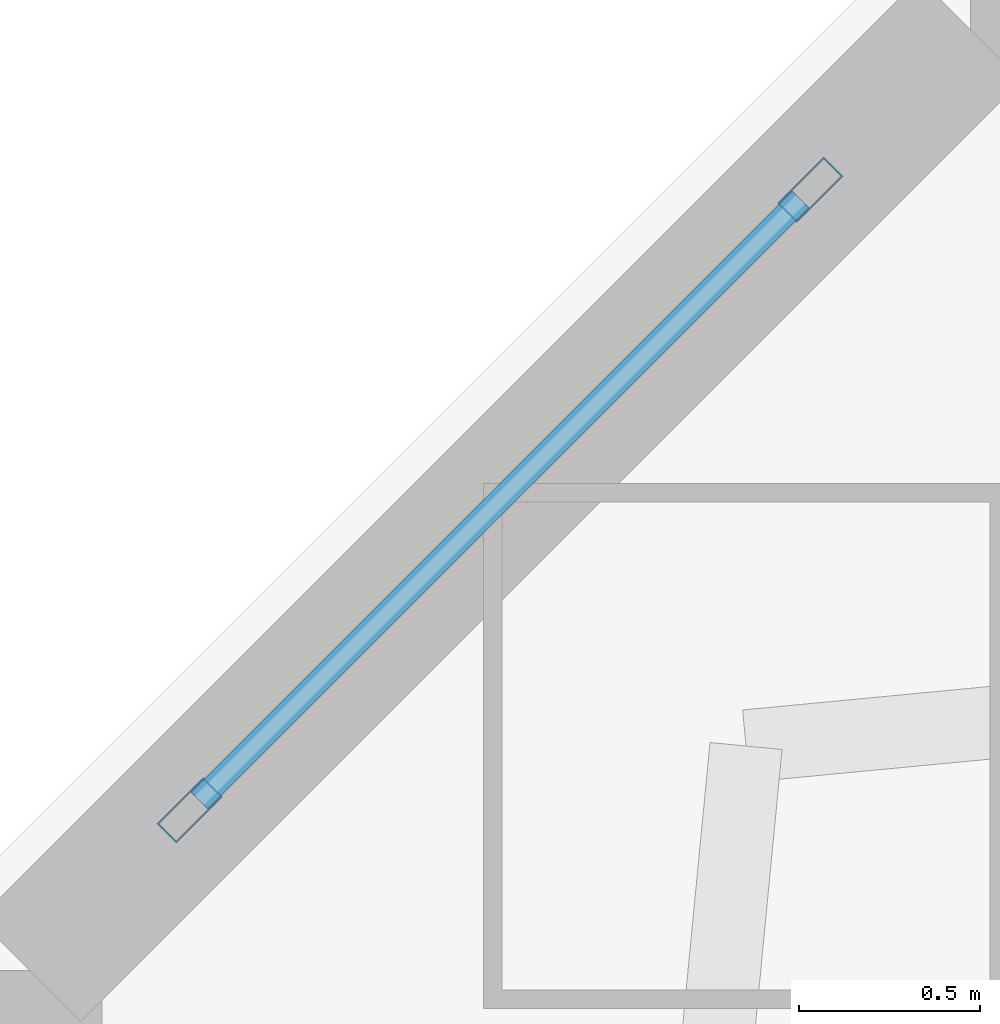
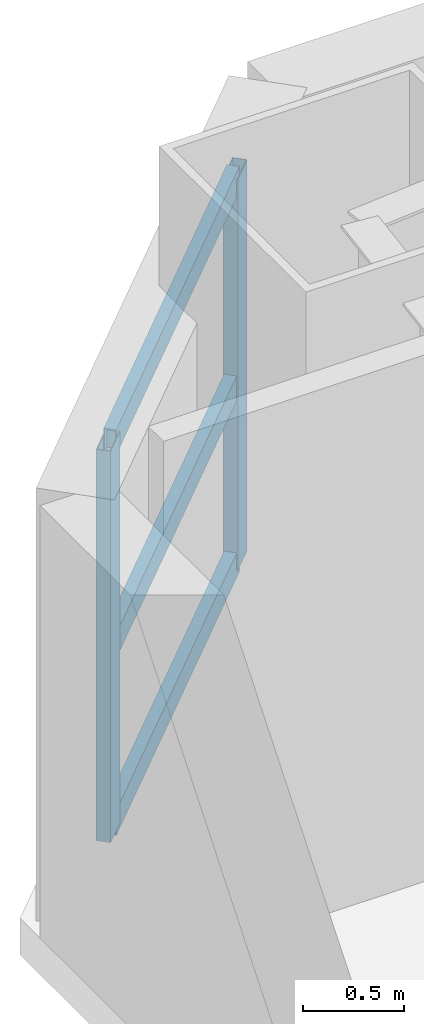
# One storey, part 8 of 25: 5 members, 1 element without a shape of its own.
"""IFC4 building model written with IfcOpenShell, lengths in metres."""

from ifc_helpers import new_model, si_unit, direction, frame, origin, origin_2d, place, context, subcontext, project, spatial, hollow_rectangle, extrude, material, layer, layer_set, material_profile, profile_set, type_object, element, aggregate, save


model = new_model("IFC4")

# Units and contexts
model_context = context("Model", 3, precision=1e-05, world=origin(), true_north=direction((0.0, 1.0)))
body_context = subcontext(model_context, "Body", "Model", "MODEL_VIEW")
ifc_project = project(units=[si_unit("LENGTHUNIT", "METRE"), si_unit("AREAUNIT", "SQUARE_METRE"), si_unit("VOLUMEUNIT", "CUBIC_METRE"), si_unit("PLANEANGLEUNIT", "RADIAN"), si_unit("MASSUNIT", "GRAM", prefix="KILO")], contexts=[model_context])

# Site, building, storey
site_placement = place(None, origin())
site = spatial("IfcSite", under=ifc_project, at=site_placement, CompositionType="ELEMENT")
building_placement = place(site_placement, origin())
building = spatial("IfcBuilding", under=site, at=building_placement, Name="Qiaolan Cultural Towers", CompositionType="ELEMENT")
storey_placement = place(building_placement, frame((0.0, 0.0, 202.39990234375)))
storey = spatial("IfcBuildingStorey", under=building, at=storey_placement, Name="L54", CompositionType="ELEMENT", Elevation=202.39990234375)

# Curtain wall, members
ifc_material_1 = material(Name="Unitized Anodized Aluminium Curtain Wall System", Category="aluminium")
ifc_layer = layer(ifc_material_1, 0.199951171875)
ifc_layer_set = layer_set([ifc_layer], Name="Unitized Anodized Aluminium Curtain Wall System")
curtain_wall_type = type_object("IfcCurtainWallType", Name="CWS-05", PredefinedType="NOTDEFINED", material=ifc_layer_set)
curtain_wall_placement = place(storey_placement, origin())
curtain_wall = element("IfcCurtainWall", 1, at=curtain_wall_placement, inside=storey, type_object=curtain_wall_type, Name="L54 T1 Chamfer Wind-Corner Feature Curtain Wall 1", PredefinedType="NOTDEFINED")
ifc_material_2 = material(Name="Extruded Aluminium 6063-T6", Category="aluminium")
ifc_material_profile_1 = material_profile(ifc_material_2, hollow_rectangle(XDim=0.074951171875, YDim=0.179931640625, WallThickness=0.00390625, at=origin_2d()), Name="CWM-180x75x4")
ifc_profile_set_1 = profile_set([ifc_material_profile_1], Name="Extruded Aluminium 6063-T6")
member_type_1 = type_object("IfcMemberType", Name="CWS-05-MUL", PredefinedType="MULLION", material=ifc_profile_set_1)
member_1_placement = place(storey_placement, frame((13.442626953125, 57.642578125, 0.150146484375), z_axis=(0.0, 0.0, 1.0), x_axis=(-0.707106781187, 0.707106781187, 0.0)))
member_1 = element("IfcMember", 2, at=member_1_placement, type_object=member_type_1, Name="CW-5 mullion 1", PredefinedType="MULLION", context=body_context, shape_type="SweptSolid", body=[
    extrude(hollow_rectangle(XDim=0.074951171875, YDim=0.179931640625, WallThickness=0.00390625, at=origin_2d()), origin(), (0.0, 0.0, 1.0), 2.35986328125),
])
member_2_placement = place(storey_placement, frame((15.157470703125, 59.357421875, 0.150146484375), z_axis=(0.0, 0.0, 1.0), x_axis=(-0.707106781187, 0.707106781187, 0.0)))
member_2 = element("IfcMember", 3, at=member_2_placement, type_object=member_type_1, Name="CW-5 mullion 2", PredefinedType="MULLION", context=body_context, shape_type="SweptSolid", body=[
    extrude(hollow_rectangle(XDim=0.074951171875, YDim=0.179931640625, WallThickness=0.00390625, at=origin_2d()), origin(), (0.0, 0.0, 1.0), 2.35986328125),
])
ifc_material_3 = material(Name="Extruded Aluminium 6063-T6", Category="aluminium")
ifc_material_profile_2 = material_profile(ifc_material_3, hollow_rectangle(XDim=0.06494140625, YDim=0.14990234375, WallThickness=0.00390625, at=origin_2d()), Name="CWT-150x65x4")
ifc_profile_set_2 = profile_set([ifc_material_profile_2], Name="Extruded Aluminium 6063-T6")
member_type_2 = type_object("IfcMemberType", Name="CWS-05-TRN", PredefinedType="USERDEFINED", material=ifc_profile_set_2)
member_3_placement = place(storey_placement, frame((13.468994140625, 57.6689453125, 0.1826171875), z_axis=(0.707054843416, 0.707158715143, 0.0), x_axis=(-0.707158715143, 0.707054843416, 0.0)))
member_3 = element("IfcMember", 4, at=member_3_placement, type_object=member_type_2, Name="CW-5 transom 1.1", ObjectType="TRANSOM", PredefinedType="USERDEFINED", context=body_context, shape_type="SweptSolid", body=[
    extrude(hollow_rectangle(XDim=0.06494140625, YDim=0.14990234375, WallThickness=0.00390625, at=origin_2d()), origin(), (0.0, 0.0, 1.0), 2.350341796875),
])
member_4_placement = place(storey_placement, frame((13.468994140625, 57.6689453125, 1.25), z_axis=(0.707054843416, 0.707158715143, 0.0), x_axis=(-0.707158715143, 0.707054843416, 0.0)))
member_4 = element("IfcMember", 5, at=member_4_placement, type_object=member_type_2, Name="CW-5 transom 1.2", ObjectType="TRANSOM", PredefinedType="USERDEFINED", context=body_context, shape_type="SweptSolid", body=[
    extrude(hollow_rectangle(XDim=0.06494140625, YDim=0.14990234375, WallThickness=0.00390625, at=origin_2d()), origin(), (0.0, 0.0, 1.0), 2.350341796875),
])
member_5_placement = place(storey_placement, frame((13.468994140625, 57.6689453125, 2.4775390625), z_axis=(0.707054843416, 0.707158715143, 0.0), x_axis=(-0.707158715143, 0.707054843416, 0.0)))
member_5 = element("IfcMember", 6, at=member_5_placement, type_object=member_type_2, Name="CW-5 transom 1.3", ObjectType="TRANSOM", PredefinedType="USERDEFINED", context=body_context, shape_type="SweptSolid", body=[
    extrude(hollow_rectangle(XDim=0.06494140625, YDim=0.14990234375, WallThickness=0.00390625, at=origin_2d()), origin(), (0.0, 0.0, 1.0), 2.350341796875),
])
aggregate(curtain_wall, [member_1, member_2, member_3, member_4, member_5])

save(model, "model.ifc")
